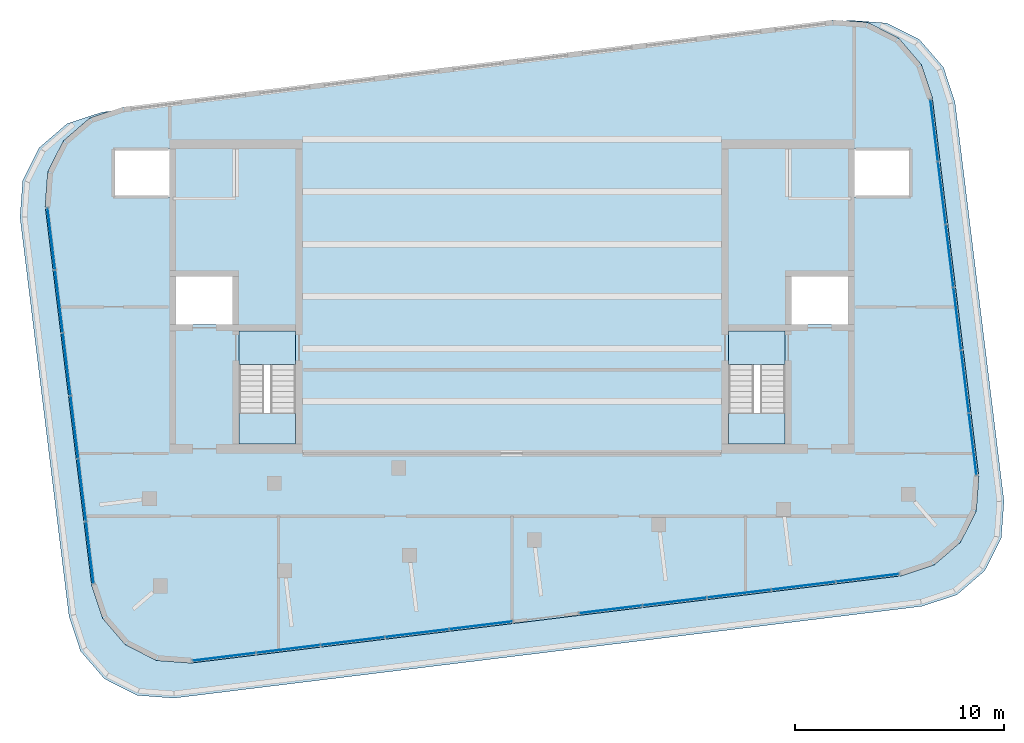
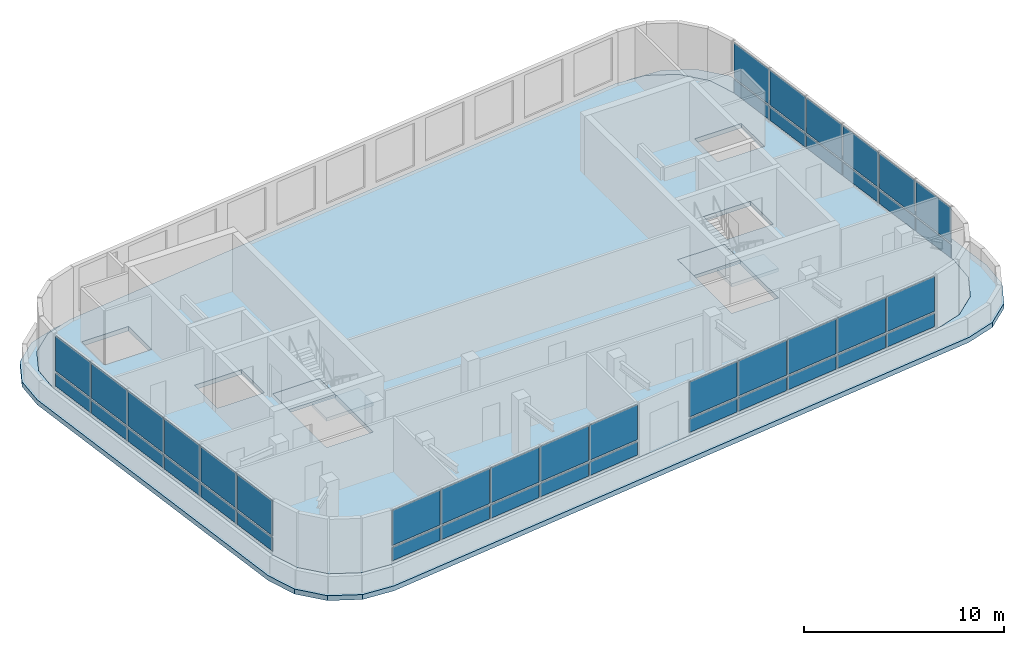
# One storey, part 4 of 8: 44 plates, 6 slabs, 6 elements without a shape of their own.
"""IFC4 building model written with IfcOpenShell, lengths in metres."""

from ifc_helpers import new_model, si_unit, direction, frame, origin, origin_2d, place, context, subcontext, project, spatial, polyline, rectangle, outline, extrude, material, layer, layer_set, type_object, element, aggregate, save


model = new_model("IFC4")

# Units and contexts
model_context = context("Model", 3, precision=1e-05, world=origin(), true_north=direction((0.0, 1.0)))
body_context = subcontext(model_context, "Body", "Model", "MODEL_VIEW")
ifc_project = project(units=[si_unit("LENGTHUNIT", "METRE"), si_unit("AREAUNIT", "SQUARE_METRE"), si_unit("VOLUMEUNIT", "CUBIC_METRE"), si_unit("PLANEANGLEUNIT", "RADIAN"), si_unit("MASSUNIT", "GRAM", prefix="KILO")], contexts=[model_context])

# Site, building, storey
site_placement = place(None, origin())
site = spatial("IfcSite", under=ifc_project, at=site_placement, CompositionType="ELEMENT")
building_placement = place(site_placement, origin())
building = spatial("IfcBuilding", under=site, at=building_placement, Name="Torana Hotel and Residences", CompositionType="ELEMENT")
storey_placement = place(building_placement, frame((0.0, 0.0, 346.60009765625)))
storey = spatial("IfcBuildingStorey", under=building, at=storey_placement, Name="C1", CompositionType="ELEMENT", Elevation=346.60009765625)

# Curtain wall, plates
ifc_material_1 = material(Name="Dark anodised aluminium", Category="aluminium")
ifc_layer_1 = layer(ifc_material_1, 0.199951171875)
ifc_layer_set_1 = layer_set([ifc_layer_1], Name="CW4 CROWN TERRACE GLAZING CURTAIN WALL")
curtain_wall_type = type_object("IfcCurtainWallType", Name="CW4 CROWN TERRACE GLAZING CURTAIN WALL", PredefinedType="NOTDEFINED", material=ifc_layer_set_1)
curtain_wall_1_placement = place(storey_placement, origin())
curtain_wall_1 = element("IfcCurtainWall", 1, at=curtain_wall_1_placement, inside=storey, type_object=curtain_wall_type, Name="Curtain wall CW4 C1 e0.9", PredefinedType="NOTDEFINED")
ifc_material_2 = material(Name="Glass dark tinted laminated glass", Category="glass")
ifc_layer_2 = layer(ifc_material_2, 0.02197265625)
ifc_layer_set_2 = layer_set([ifc_layer_2], Name="CW4 DARK GLASS PANEL 22")
plate_type = type_object("IfcPlateType", Name="CW4 DARK GLASS PANEL 22", PredefinedType="CURTAIN_PANEL", material=ifc_layer_set_2)
plate_1_placement = place(storey_placement, frame((-22.007080078125, -4.7470703125, 0.11962890625), z_axis=(0.0, 0.0, 1.0), x_axis=(0.121867706155, -0.992546352669, 0.0)))
plate_1 = element("IfcPlate", 2, at=plate_1_placement, type_object=plate_type, Name="CW4 panel 1.1", PredefinedType="CURTAIN_PANEL", context=body_context, shape_type="SweptSolid", body=[
    extrude(rectangle(XDim=2.922607421875, YDim=0.02197265625, at=origin_2d()), origin(), (0.0, 0.0, 1.0), 0.820068359375),
])
plate_2_placement = place(storey_placement, frame((-22.007080078125, -4.7470703125, 1.06005859375), z_axis=(0.0, 0.0, 1.0), x_axis=(0.121867706155, -0.992546352669, 0.0)))
plate_2 = element("IfcPlate", 3, at=plate_2_placement, type_object=plate_type, Name="CW4 panel 1.2", PredefinedType="CURTAIN_PANEL", context=body_context, shape_type="SweptSolid", body=[
    extrude(rectangle(XDim=2.922607421875, YDim=0.02197265625, at=origin_2d()), origin(), (0.0, 0.0, 1.0), 2.139892578125),
])
plate_3_placement = place(storey_placement, frame((-21.640380859375, -7.73486328125, 0.11962890625), z_axis=(0.0, 0.0, 1.0), x_axis=(0.121867706155, -0.992546352669, 0.0)))
plate_3 = element("IfcPlate", 4, at=plate_3_placement, type_object=plate_type, Name="CW4 panel 2.1", PredefinedType="CURTAIN_PANEL", context=body_context, shape_type="SweptSolid", body=[
    extrude(rectangle(XDim=2.95751953125, YDim=0.02197265625, at=origin_2d()), origin(), (0.0, 0.0, 1.0), 0.820068359375),
])
plate_4_placement = place(storey_placement, frame((-21.640380859375, -7.73486328125, 1.06005859375), z_axis=(0.0, 0.0, 1.0), x_axis=(0.121867706155, -0.992546352669, 0.0)))
plate_4 = element("IfcPlate", 5, at=plate_4_placement, type_object=plate_type, Name="CW4 panel 2.2", PredefinedType="CURTAIN_PANEL", context=body_context, shape_type="SweptSolid", body=[
    extrude(rectangle(XDim=2.95751953125, YDim=0.02197265625, at=origin_2d()), origin(), (0.0, 0.0, 1.0), 2.139892578125),
])
plate_5_placement = place(storey_placement, frame((-21.271484375, -10.739990234375, 0.11962890625), z_axis=(0.0, 0.0, 1.0), x_axis=(0.121867706155, -0.992546352669, 0.0)))
plate_5 = element("IfcPlate", 6, at=plate_5_placement, type_object=plate_type, Name="CW4 panel 3.1", PredefinedType="CURTAIN_PANEL", context=body_context, shape_type="SweptSolid", body=[
    extrude(rectangle(XDim=2.95751953125, YDim=0.02197265625, at=origin_2d()), origin(), (0.0, 0.0, 1.0), 0.820068359375),
])
plate_6_placement = place(storey_placement, frame((-21.271484375, -10.739990234375, 1.06005859375), z_axis=(0.0, 0.0, 1.0), x_axis=(0.121867706155, -0.992546352669, 0.0)))
plate_6 = element("IfcPlate", 7, at=plate_6_placement, type_object=plate_type, Name="CW4 panel 3.2", PredefinedType="CURTAIN_PANEL", context=body_context, shape_type="SweptSolid", body=[
    extrude(rectangle(XDim=2.95751953125, YDim=0.02197265625, at=origin_2d()), origin(), (0.0, 0.0, 1.0), 2.139892578125),
])
plate_7_placement = place(storey_placement, frame((-20.90234375, -13.744873046875, 0.11962890625), z_axis=(0.0, 0.0, 1.0), x_axis=(0.121867706155, -0.992546352669, 0.0)))
plate_7 = element("IfcPlate", 8, at=plate_7_placement, type_object=plate_type, Name="CW4 panel 4.1", PredefinedType="CURTAIN_PANEL", context=body_context, shape_type="SweptSolid", body=[
    extrude(rectangle(XDim=2.95751953125, YDim=0.02197265625, at=origin_2d()), origin(), (0.0, 0.0, 1.0), 0.820068359375),
])
plate_8_placement = place(storey_placement, frame((-20.90234375, -13.744873046875, 1.06005859375), z_axis=(0.0, 0.0, 1.0), x_axis=(0.121867706155, -0.992546352669, 0.0)))
plate_8 = element("IfcPlate", 9, at=plate_8_placement, type_object=plate_type, Name="CW4 panel 4.2", PredefinedType="CURTAIN_PANEL", context=body_context, shape_type="SweptSolid", body=[
    extrude(rectangle(XDim=2.95751953125, YDim=0.02197265625, at=origin_2d()), origin(), (0.0, 0.0, 1.0), 2.139892578125),
])
plate_9_placement = place(storey_placement, frame((-20.533447265625, -16.75, 0.11962890625), z_axis=(0.0, 0.0, 1.0), x_axis=(0.121867706155, -0.992546352669, 0.0)))
plate_9 = element("IfcPlate", 10, at=plate_9_placement, type_object=plate_type, Name="CW4 panel 5.1", PredefinedType="CURTAIN_PANEL", context=body_context, shape_type="SweptSolid", body=[
    extrude(rectangle(XDim=2.95751953125, YDim=0.02197265625, at=origin_2d()), origin(), (0.0, 0.0, 1.0), 0.820068359375),
])
plate_10_placement = place(storey_placement, frame((-20.533447265625, -16.75, 1.06005859375), z_axis=(0.0, 0.0, 1.0), x_axis=(0.121867706155, -0.992546352669, 0.0)))
plate_10 = element("IfcPlate", 11, at=plate_10_placement, type_object=plate_type, Name="CW4 panel 5.2", PredefinedType="CURTAIN_PANEL", context=body_context, shape_type="SweptSolid", body=[
    extrude(rectangle(XDim=2.95751953125, YDim=0.02197265625, at=origin_2d()), origin(), (0.0, 0.0, 1.0), 2.139892578125),
])
plate_11_placement = place(storey_placement, frame((-20.16650390625, -19.737548828125, 0.11962890625), z_axis=(0.0, 0.0, 1.0), x_axis=(0.121867706155, -0.992546352669, 0.0)))
plate_11 = element("IfcPlate", 12, at=plate_11_placement, type_object=plate_type, Name="CW4 panel 6.1", PredefinedType="CURTAIN_PANEL", context=body_context, shape_type="SweptSolid", body=[
    extrude(rectangle(XDim=2.922607421875, YDim=0.02197265625, at=origin_2d()), origin(), (0.0, 0.0, 1.0), 0.820068359375),
])
plate_12_placement = place(storey_placement, frame((-20.16650390625, -19.737548828125, 1.06005859375), z_axis=(0.0, 0.0, 1.0), x_axis=(0.121867706155, -0.992546352669, 0.0)))
plate_12 = element("IfcPlate", 13, at=plate_12_placement, type_object=plate_type, Name="CW4 panel 6.2", PredefinedType="CURTAIN_PANEL", context=body_context, shape_type="SweptSolid", body=[
    extrude(rectangle(XDim=2.922607421875, YDim=0.02197265625, at=origin_2d()), origin(), (0.0, 0.0, 1.0), 2.139892578125),
])
aggregate(curtain_wall_1, [plate_1, plate_2, plate_3, plate_4, plate_5, plate_6, plate_7, plate_8, plate_9, plate_10, plate_11, plate_12])

curtain_wall_2_placement = place(storey_placement, origin())
curtain_wall_2 = element("IfcCurtainWall", 14, at=curtain_wall_2_placement, inside=storey, type_object=curtain_wall_type, Name="Curtain wall CW4 C1 e0.14-1", PredefinedType="NOTDEFINED")
plate_13_placement = place(storey_placement, frame((-13.750732421875, -24.7177734375, 0.11962890625), z_axis=(0.0, 0.0, 1.0), x_axis=(0.992547521278, 0.121858188089, 0.0)))
plate_13 = element("IfcPlate", 15, at=plate_13_placement, type_object=plate_type, Name="CW4 panel 1.1", PredefinedType="CURTAIN_PANEL", context=body_context, shape_type="SweptSolid", body=[
    extrude(rectangle(XDim=2.995361328125, YDim=0.02197265625, at=origin_2d()), origin(), (0.0, 0.0, 1.0), 0.820068359375),
])
plate_14_placement = place(storey_placement, frame((-13.750732421875, -24.7177734375, 1.06005859375), z_axis=(0.0, 0.0, 1.0), x_axis=(0.992547521278, 0.121858188089, 0.0)))
plate_14 = element("IfcPlate", 16, at=plate_14_placement, type_object=plate_type, Name="CW4 panel 1.2", PredefinedType="CURTAIN_PANEL", context=body_context, shape_type="SweptSolid", body=[
    extrude(rectangle(XDim=2.995361328125, YDim=0.02197265625, at=origin_2d()), origin(), (0.0, 0.0, 1.0), 2.139892578125),
])
plate_15_placement = place(storey_placement, frame((-10.69091796875, -24.342041015625, 0.11962890625), z_axis=(0.0, 0.0, 1.0), x_axis=(0.992547521278, 0.121858188089, 0.0)))
plate_15 = element("IfcPlate", 17, at=plate_15_placement, type_object=plate_type, Name="CW4 panel 2.1", PredefinedType="CURTAIN_PANEL", context=body_context, shape_type="SweptSolid", body=[
    extrude(rectangle(XDim=3.0302734375, YDim=0.02197265625, at=origin_2d()), origin(), (0.0, 0.0, 1.0), 0.820068359375),
])
plate_16_placement = place(storey_placement, frame((-10.69091796875, -24.342041015625, 1.06005859375), z_axis=(0.0, 0.0, 1.0), x_axis=(0.992547521278, 0.121858188089, 0.0)))
plate_16 = element("IfcPlate", 18, at=plate_16_placement, type_object=plate_type, Name="CW4 panel 2.2", PredefinedType="CURTAIN_PANEL", context=body_context, shape_type="SweptSolid", body=[
    extrude(rectangle(XDim=3.0302734375, YDim=0.02197265625, at=origin_2d()), origin(), (0.0, 0.0, 1.0), 2.139892578125),
])
plate_17_placement = place(storey_placement, frame((-7.61376953125, -23.964111328125, 0.11962890625), z_axis=(0.0, 0.0, 1.0), x_axis=(0.992547521278, 0.121858188089, 0.0)))
plate_17 = element("IfcPlate", 19, at=plate_17_placement, type_object=plate_type, Name="CW4 panel 3.1", PredefinedType="CURTAIN_PANEL", context=body_context, shape_type="SweptSolid", body=[
    extrude(rectangle(XDim=3.0302734375, YDim=0.02197265625, at=origin_2d()), origin(), (0.0, 0.0, 1.0), 0.820068359375),
])
plate_18_placement = place(storey_placement, frame((-7.61376953125, -23.964111328125, 1.06005859375), z_axis=(0.0, 0.0, 1.0), x_axis=(0.992547521278, 0.121858188089, 0.0)))
plate_18 = element("IfcPlate", 20, at=plate_18_placement, type_object=plate_type, Name="CW4 panel 3.2", PredefinedType="CURTAIN_PANEL", context=body_context, shape_type="SweptSolid", body=[
    extrude(rectangle(XDim=3.0302734375, YDim=0.02197265625, at=origin_2d()), origin(), (0.0, 0.0, 1.0), 2.139892578125),
])
plate_19_placement = place(storey_placement, frame((-4.536376953125, -23.58642578125, 0.11962890625), z_axis=(0.0, 0.0, 1.0), x_axis=(0.992547521278, 0.121858188089, 0.0)))
plate_19 = element("IfcPlate", 21, at=plate_19_placement, type_object=plate_type, Name="CW4 panel 4.1", PredefinedType="CURTAIN_PANEL", context=body_context, shape_type="SweptSolid", body=[
    extrude(rectangle(XDim=3.0302734375, YDim=0.02197265625, at=origin_2d()), origin(), (0.0, 0.0, 1.0), 0.820068359375),
])
plate_20_placement = place(storey_placement, frame((-4.536376953125, -23.58642578125, 1.06005859375), z_axis=(0.0, 0.0, 1.0), x_axis=(0.992547521278, 0.121858188089, 0.0)))
plate_20 = element("IfcPlate", 22, at=plate_20_placement, type_object=plate_type, Name="CW4 panel 4.2", PredefinedType="CURTAIN_PANEL", context=body_context, shape_type="SweptSolid", body=[
    extrude(rectangle(XDim=3.0302734375, YDim=0.02197265625, at=origin_2d()), origin(), (0.0, 0.0, 1.0), 2.139892578125),
])
plate_21_placement = place(storey_placement, frame((-1.4765625, -23.210693359375, 0.11962890625), z_axis=(0.0, 0.0, 1.0), x_axis=(0.992547521278, 0.121858188089, 0.0)))
plate_21 = element("IfcPlate", 23, at=plate_21_placement, type_object=plate_type, Name="CW4 panel 5.1", PredefinedType="CURTAIN_PANEL", context=body_context, shape_type="SweptSolid", body=[
    extrude(rectangle(XDim=2.995361328125, YDim=0.02197265625, at=origin_2d()), origin(), (0.0, 0.0, 1.0), 0.820068359375),
])
plate_22_placement = place(storey_placement, frame((-1.4765625, -23.210693359375, 1.06005859375), z_axis=(0.0, 0.0, 1.0), x_axis=(0.992547521278, 0.121858188089, 0.0)))
plate_22 = element("IfcPlate", 24, at=plate_22_placement, type_object=plate_type, Name="CW4 panel 5.2", PredefinedType="CURTAIN_PANEL", context=body_context, shape_type="SweptSolid", body=[
    extrude(rectangle(XDim=2.995361328125, YDim=0.02197265625, at=origin_2d()), origin(), (0.0, 0.0, 1.0), 2.139892578125),
])
aggregate(curtain_wall_2, [plate_13, plate_14, plate_15, plate_16, plate_17, plate_18, plate_19, plate_20, plate_21, plate_22])

curtain_wall_3_placement = place(storey_placement, origin())
curtain_wall_3 = element("IfcCurtainWall", 25, at=curtain_wall_3_placement, inside=storey, type_object=curtain_wall_type, Name="Curtain wall CW4 C1 e0.14-2", PredefinedType="NOTDEFINED")
plate_23_placement = place(storey_placement, frame((4.712646484375, -22.45068359375, 0.11962890625), z_axis=(0.0, 0.0, 1.0), x_axis=(0.992546645215, 0.121865323504, 0.0)))
plate_23 = element("IfcPlate", 26, at=plate_23_placement, type_object=plate_type, Name="CW4 panel 1.1", PredefinedType="CURTAIN_PANEL", context=body_context, shape_type="SweptSolid", body=[
    extrude(rectangle(XDim=2.995361328125, YDim=0.02197265625, at=origin_2d()), origin(), (0.0, 0.0, 1.0), 0.820068359375),
])
plate_24_placement = place(storey_placement, frame((4.712646484375, -22.45068359375, 1.06005859375), z_axis=(0.0, 0.0, 1.0), x_axis=(0.992546645215, 0.121865323504, 0.0)))
plate_24 = element("IfcPlate", 27, at=plate_24_placement, type_object=plate_type, Name="CW4 panel 1.2", PredefinedType="CURTAIN_PANEL", context=body_context, shape_type="SweptSolid", body=[
    extrude(rectangle(XDim=2.995361328125, YDim=0.02197265625, at=origin_2d()), origin(), (0.0, 0.0, 1.0), 2.139892578125),
])
plate_25_placement = place(storey_placement, frame((7.7724609375, -22.074951171875, 0.11962890625), z_axis=(0.0, 0.0, 1.0), x_axis=(0.992546645215, 0.121865323504, 0.0)))
plate_25 = element("IfcPlate", 28, at=plate_25_placement, type_object=plate_type, Name="CW4 panel 2.1", PredefinedType="CURTAIN_PANEL", context=body_context, shape_type="SweptSolid", body=[
    extrude(rectangle(XDim=3.0302734375, YDim=0.02197265625, at=origin_2d()), origin(), (0.0, 0.0, 1.0), 0.820068359375),
])
plate_26_placement = place(storey_placement, frame((7.7724609375, -22.074951171875, 1.06005859375), z_axis=(0.0, 0.0, 1.0), x_axis=(0.992546645215, 0.121865323504, 0.0)))
plate_26 = element("IfcPlate", 29, at=plate_26_placement, type_object=plate_type, Name="CW4 panel 2.2", PredefinedType="CURTAIN_PANEL", context=body_context, shape_type="SweptSolid", body=[
    extrude(rectangle(XDim=3.0302734375, YDim=0.02197265625, at=origin_2d()), origin(), (0.0, 0.0, 1.0), 2.139892578125),
])
plate_27_placement = place(storey_placement, frame((10.849609375, -21.697265625, 0.11962890625), z_axis=(0.0, 0.0, 1.0), x_axis=(0.992546645215, 0.121865323504, 0.0)))
plate_27 = element("IfcPlate", 30, at=plate_27_placement, type_object=plate_type, Name="CW4 panel 3.1", PredefinedType="CURTAIN_PANEL", context=body_context, shape_type="SweptSolid", body=[
    extrude(rectangle(XDim=3.0302734375, YDim=0.02197265625, at=origin_2d()), origin(), (0.0, 0.0, 1.0), 0.820068359375),
])
plate_28_placement = place(storey_placement, frame((10.849609375, -21.697265625, 1.06005859375), z_axis=(0.0, 0.0, 1.0), x_axis=(0.992546645215, 0.121865323504, 0.0)))
plate_28 = element("IfcPlate", 31, at=plate_28_placement, type_object=plate_type, Name="CW4 panel 3.2", PredefinedType="CURTAIN_PANEL", context=body_context, shape_type="SweptSolid", body=[
    extrude(rectangle(XDim=3.0302734375, YDim=0.02197265625, at=origin_2d()), origin(), (0.0, 0.0, 1.0), 2.139892578125),
])
plate_29_placement = place(storey_placement, frame((13.9267578125, -21.3193359375, 0.11962890625), z_axis=(0.0, 0.0, 1.0), x_axis=(0.992546645215, 0.121865323504, 0.0)))
plate_29 = element("IfcPlate", 32, at=plate_29_placement, type_object=plate_type, Name="CW4 panel 4.1", PredefinedType="CURTAIN_PANEL", context=body_context, shape_type="SweptSolid", body=[
    extrude(rectangle(XDim=3.0302734375, YDim=0.02197265625, at=origin_2d()), origin(), (0.0, 0.0, 1.0), 0.820068359375),
])
plate_30_placement = place(storey_placement, frame((13.9267578125, -21.3193359375, 1.06005859375), z_axis=(0.0, 0.0, 1.0), x_axis=(0.992546645215, 0.121865323504, 0.0)))
plate_30 = element("IfcPlate", 33, at=plate_30_placement, type_object=plate_type, Name="CW4 panel 4.2", PredefinedType="CURTAIN_PANEL", context=body_context, shape_type="SweptSolid", body=[
    extrude(rectangle(XDim=3.0302734375, YDim=0.02197265625, at=origin_2d()), origin(), (0.0, 0.0, 1.0), 2.139892578125),
])
plate_31_placement = place(storey_placement, frame((16.986572265625, -20.94384765625, 0.11962890625), z_axis=(0.0, 0.0, 1.0), x_axis=(0.992546645215, 0.121865323504, 0.0)))
plate_31 = element("IfcPlate", 34, at=plate_31_placement, type_object=plate_type, Name="CW4 panel 5.1", PredefinedType="CURTAIN_PANEL", context=body_context, shape_type="SweptSolid", body=[
    extrude(rectangle(XDim=2.995361328125, YDim=0.02197265625, at=origin_2d()), origin(), (0.0, 0.0, 1.0), 0.820068359375),
])
plate_32_placement = place(storey_placement, frame((16.986572265625, -20.94384765625, 1.06005859375), z_axis=(0.0, 0.0, 1.0), x_axis=(0.992546645215, 0.121865323504, 0.0)))
plate_32 = element("IfcPlate", 35, at=plate_32_placement, type_object=plate_type, Name="CW4 panel 5.2", PredefinedType="CURTAIN_PANEL", context=body_context, shape_type="SweptSolid", body=[
    extrude(rectangle(XDim=2.995361328125, YDim=0.02197265625, at=origin_2d()), origin(), (0.0, 0.0, 1.0), 2.139892578125),
])
aggregate(curtain_wall_3, [plate_23, plate_24, plate_25, plate_26, plate_27, plate_28, plate_29, plate_30, plate_31, plate_32])

curtain_wall_4_placement = place(storey_placement, origin())
curtain_wall_4 = element("IfcCurtainWall", 36, at=curtain_wall_4_placement, inside=storey, type_object=curtain_wall_type, Name="Curtain wall CW4 C1 e0.19", PredefinedType="NOTDEFINED")
plate_33_placement = place(storey_placement, frame((22.007080078125, -14.559326171875, 0.11962890625), z_axis=(0.0, 0.0, 1.0), x_axis=(-0.121868372024, 0.992546270911, 0.0)))
plate_33 = element("IfcPlate", 37, at=plate_33_placement, type_object=plate_type, Name="CW4 panel 1.1", PredefinedType="CURTAIN_PANEL", context=body_context, shape_type="SweptSolid", body=[
    extrude(rectangle(XDim=2.922607421875, YDim=0.02197265625, at=origin_2d()), origin(), (0.0, 0.0, 1.0), 0.820068359375),
])
plate_34_placement = place(storey_placement, frame((22.007080078125, -14.559326171875, 1.06005859375), z_axis=(0.0, 0.0, 1.0), x_axis=(-0.121868372024, 0.992546270911, 0.0)))
plate_34 = element("IfcPlate", 38, at=plate_34_placement, type_object=plate_type, Name="CW4 panel 1.2", PredefinedType="CURTAIN_PANEL", context=body_context, shape_type="SweptSolid", body=[
    extrude(rectangle(XDim=2.922607421875, YDim=0.02197265625, at=origin_2d()), origin(), (0.0, 0.0, 1.0), 2.139892578125),
])
plate_35_placement = place(storey_placement, frame((21.640380859375, -11.57177734375, 0.11962890625), z_axis=(0.0, 0.0, 1.0), x_axis=(-0.121868372024, 0.992546270911, 0.0)))
plate_35 = element("IfcPlate", 39, at=plate_35_placement, type_object=plate_type, Name="CW4 panel 2.1", PredefinedType="CURTAIN_PANEL", context=body_context, shape_type="SweptSolid", body=[
    extrude(rectangle(XDim=2.95751953125, YDim=0.02197265625, at=origin_2d()), origin(), (0.0, 0.0, 1.0), 0.820068359375),
])
plate_36_placement = place(storey_placement, frame((21.640380859375, -11.57177734375, 1.06005859375), z_axis=(0.0, 0.0, 1.0), x_axis=(-0.121868372024, 0.992546270911, 0.0)))
plate_36 = element("IfcPlate", 40, at=plate_36_placement, type_object=plate_type, Name="CW4 panel 2.2", PredefinedType="CURTAIN_PANEL", context=body_context, shape_type="SweptSolid", body=[
    extrude(rectangle(XDim=2.95751953125, YDim=0.02197265625, at=origin_2d()), origin(), (0.0, 0.0, 1.0), 2.139892578125),
])
plate_37_placement = place(storey_placement, frame((21.271484375, -8.566650390625, 0.11962890625), z_axis=(0.0, 0.0, 1.0), x_axis=(-0.121868372024, 0.992546270911, 0.0)))
plate_37 = element("IfcPlate", 41, at=plate_37_placement, type_object=plate_type, Name="CW4 panel 3.1", PredefinedType="CURTAIN_PANEL", context=body_context, shape_type="SweptSolid", body=[
    extrude(rectangle(XDim=2.95751953125, YDim=0.02197265625, at=origin_2d()), origin(), (0.0, 0.0, 1.0), 0.820068359375),
])
plate_38_placement = place(storey_placement, frame((21.271484375, -8.566650390625, 1.06005859375), z_axis=(0.0, 0.0, 1.0), x_axis=(-0.121868372024, 0.992546270911, 0.0)))
plate_38 = element("IfcPlate", 42, at=plate_38_placement, type_object=plate_type, Name="CW4 panel 3.2", PredefinedType="CURTAIN_PANEL", context=body_context, shape_type="SweptSolid", body=[
    extrude(rectangle(XDim=2.95751953125, YDim=0.02197265625, at=origin_2d()), origin(), (0.0, 0.0, 1.0), 2.139892578125),
])
plate_39_placement = place(storey_placement, frame((20.90234375, -5.5615234375, 0.11962890625), z_axis=(0.0, 0.0, 1.0), x_axis=(-0.121868372024, 0.992546270911, 0.0)))
plate_39 = element("IfcPlate", 43, at=plate_39_placement, type_object=plate_type, Name="CW4 panel 4.1", PredefinedType="CURTAIN_PANEL", context=body_context, shape_type="SweptSolid", body=[
    extrude(rectangle(XDim=2.95751953125, YDim=0.02197265625, at=origin_2d()), origin(), (0.0, 0.0, 1.0), 0.820068359375),
])
plate_40_placement = place(storey_placement, frame((20.90234375, -5.5615234375, 1.06005859375), z_axis=(0.0, 0.0, 1.0), x_axis=(-0.121868372024, 0.992546270911, 0.0)))
plate_40 = element("IfcPlate", 44, at=plate_40_placement, type_object=plate_type, Name="CW4 panel 4.2", PredefinedType="CURTAIN_PANEL", context=body_context, shape_type="SweptSolid", body=[
    extrude(rectangle(XDim=2.95751953125, YDim=0.02197265625, at=origin_2d()), origin(), (0.0, 0.0, 1.0), 2.139892578125),
])
plate_41_placement = place(storey_placement, frame((20.533447265625, -2.556640625, 0.11962890625), z_axis=(0.0, 0.0, 1.0), x_axis=(-0.121868372024, 0.992546270911, 0.0)))
plate_41 = element("IfcPlate", 45, at=plate_41_placement, type_object=plate_type, Name="CW4 panel 5.1", PredefinedType="CURTAIN_PANEL", context=body_context, shape_type="SweptSolid", body=[
    extrude(rectangle(XDim=2.95751953125, YDim=0.02197265625, at=origin_2d()), origin(), (0.0, 0.0, 1.0), 0.820068359375),
])
plate_42_placement = place(storey_placement, frame((20.533447265625, -2.556640625, 1.06005859375), z_axis=(0.0, 0.0, 1.0), x_axis=(-0.121868372024, 0.992546270911, 0.0)))
plate_42 = element("IfcPlate", 46, at=plate_42_placement, type_object=plate_type, Name="CW4 panel 5.2", PredefinedType="CURTAIN_PANEL", context=body_context, shape_type="SweptSolid", body=[
    extrude(rectangle(XDim=2.95751953125, YDim=0.02197265625, at=origin_2d()), origin(), (0.0, 0.0, 1.0), 2.139892578125),
])
plate_43_placement = place(storey_placement, frame((20.16650390625, 0.430908203125, 0.11962890625), z_axis=(0.0, 0.0, 1.0), x_axis=(-0.121868372024, 0.992546270911, 0.0)))
plate_43 = element("IfcPlate", 47, at=plate_43_placement, type_object=plate_type, Name="CW4 panel 6.1", PredefinedType="CURTAIN_PANEL", context=body_context, shape_type="SweptSolid", body=[
    extrude(rectangle(XDim=2.922607421875, YDim=0.02197265625, at=origin_2d()), origin(), (0.0, 0.0, 1.0), 0.820068359375),
])
plate_44_placement = place(storey_placement, frame((20.16650390625, 0.430908203125, 1.06005859375), z_axis=(0.0, 0.0, 1.0), x_axis=(-0.121868372024, 0.992546270911, 0.0)))
plate_44 = element("IfcPlate", 48, at=plate_44_placement, type_object=plate_type, Name="CW4 panel 6.2", PredefinedType="CURTAIN_PANEL", context=body_context, shape_type="SweptSolid", body=[
    extrude(rectangle(XDim=2.922607421875, YDim=0.02197265625, at=origin_2d()), origin(), (0.0, 0.0, 1.0), 2.139892578125),
])
aggregate(curtain_wall_4, [plate_33, plate_34, plate_35, plate_36, plate_37, plate_38, plate_39, plate_40, plate_41, plate_42, plate_43, plate_44])

# Slab
ifc_material_3 = material(Name="Concrete C40/50", Category="concrete")
ifc_layer_3 = layer(ifc_material_3, 0.280029296875)
ifc_layer_set_3 = layer_set([ifc_layer_3], Name="FLOOR SLAB PT 280")
slab_type_1 = type_object("IfcSlabType", Name="FLOOR SLAB PT 280", PredefinedType="FLOOR", material=ifc_layer_set_3)
slab_1_placement = place(storey_placement, frame((0.0, 0.0, -0.280029296875)))
element("IfcSlab", 49, at=slab_1_placement, inside=storey, type_object=slab_type_1, Name="Floor slab", PredefinedType="FLOOR", context=body_context, shape_type="SweptSolid", body=[
    extrude(outline(polyline([(20.076416015625, 1.987548828125), (19.5546875, 3.569580078125), (18.46728515625, 4.831298828125), (16.97998046875, 5.5810546875), (15.31884765625, 5.70458984375), (-18.5791015625, 1.54248046875), (-20.1611328125, 1.020751953125), (-21.423095703125, -0.06640625), (-22.172607421875, -1.553955078125), (-22.296142578125, -3.215087890625), (-20.076416015625, -21.294189453125), (-19.5546875, -22.8759765625), (-18.46728515625, -24.137939453125), (-16.97998046875, -24.8876953125), (-15.31884765625, -25.010986328125), (18.5791015625, -20.84912109375), (20.1611328125, -20.327392578125), (21.423095703125, -19.239990234375), (22.172607421875, -17.752685546875), (22.296142578125, -16.09130859375), (20.076416015625, 1.987548828125)]), holes=[polyline([(-13.050048828125, -14.550048828125), (-10.35009765625, -14.550048828125), (-10.35009765625, -9.14990234375), (-13.050048828125, -9.14990234375), (-13.050048828125, -14.550048828125)]), polyline([(-16.050048828125, -8.85009765625), (-13.35009765625, -8.85009765625), (-13.35009765625, -6.550048828125), (-16.050048828125, -6.550048828125), (-16.050048828125, -8.85009765625)]), polyline([(-19.050048828125, -2.75), (-16.35009765625, -2.75), (-16.35009765625, -0.449951171875), (-19.050048828125, -0.449951171875), (-19.050048828125, -2.75)]), polyline([(10.35009765625, -14.550048828125), (13.050048828125, -14.550048828125), (13.050048828125, -9.14990234375), (10.35009765625, -9.14990234375), (10.35009765625, -14.550048828125)]), polyline([(13.35009765625, -8.85009765625), (16.050048828125, -8.85009765625), (16.050048828125, -6.550048828125), (13.35009765625, -6.550048828125), (13.35009765625, -8.85009765625)]), polyline([(16.35009765625, -2.75), (19.050048828125, -2.75), (19.050048828125, -0.449951171875), (16.35009765625, -0.449951171875), (16.35009765625, -2.75)])]), origin(), (0.0, 0.0, 1.0), 0.280029296875),
])

# Stair, slabs
ifc_material_4 = material(Name="Concrete C40/50 precast", Category="concrete")
stair_type_1 = type_object("IfcStairType", Name="STAIR ST1 HALF TURN 1200", PredefinedType="HALF_TURN_STAIR", material=ifc_material_4)
stair_1_placement = place(storey_placement, origin())
stair_1 = element("IfcStair", 50, at=stair_1_placement, inside=storey, type_object=stair_type_1, Name="Stair ST1 C1", PredefinedType="HALF_TURN_STAIR")
ifc_material_5 = material(Name="Concrete C40/50 precast", Category="concrete")
ifc_layer_4 = layer(ifc_material_5, 0.199951171875)
ifc_layer_set_4 = layer_set([ifc_layer_4], Name="STAIR LANDING 200")
slab_type_2 = type_object("IfcSlabType", Name="STAIR LANDING 200", PredefinedType="LANDING", material=ifc_layer_set_4)
slab_2_placement = place(storey_placement, frame((0.0, 0.0, 1.599853515625)))
slab_2 = element("IfcSlab", 51, at=slab_2_placement, type_object=slab_type_2, Name="ST1 landing 1", PredefinedType="LANDING", context=body_context, shape_type="SweptSolid", body=[
    extrude(outline(polyline([(-13.050048828125, -14.550048828125), (-10.35009765625, -14.550048828125), (-10.35009765625, -13.090087890625), (-13.050048828125, -13.090087890625), (-13.050048828125, -14.550048828125)])), origin(), (0.0, 0.0, 1.0), 0.199951171875),
])
slab_3_placement = place(storey_placement, frame((0.0, 0.0, -0.2001953125)))
slab_3 = element("IfcSlab", 52, at=slab_3_placement, type_object=slab_type_2, Name="ST1 landing 2", PredefinedType="LANDING", context=body_context, shape_type="SweptSolid", body=[
    extrude(outline(polyline([(-13.050048828125, -10.75), (-10.35009765625, -10.75), (-10.35009765625, -9.14990234375), (-13.050048828125, -9.14990234375), (-13.050048828125, -10.75)])), origin(), (0.0, 0.0, 1.0), 0.2001953125),
])
aggregate(stair_1, [slab_2, slab_3])

ifc_material_6 = material(Name="Concrete C40/50 precast", Category="concrete")
stair_type_2 = type_object("IfcStairType", Name="STAIR ST3 HALF TURN 1200", PredefinedType="HALF_TURN_STAIR", material=ifc_material_6)
stair_2_placement = place(storey_placement, origin())
stair_2 = element("IfcStair", 53, at=stair_2_placement, inside=storey, type_object=stair_type_2, Name="Stair ST3 C1", PredefinedType="HALF_TURN_STAIR")
slab_4_placement = place(storey_placement, frame((0.0, 0.0, 1.599853515625)))
slab_4 = element("IfcSlab", 54, at=slab_4_placement, type_object=slab_type_2, Name="ST3 landing 1", PredefinedType="LANDING", context=body_context, shape_type="SweptSolid", body=[
    extrude(outline(polyline([(10.35009765625, -14.550048828125), (13.050048828125, -14.550048828125), (13.050048828125, -13.090087890625), (10.35009765625, -13.090087890625), (10.35009765625, -14.550048828125)])), origin(), (0.0, 0.0, 1.0), 0.199951171875),
])
slab_5_placement = place(storey_placement, frame((0.0, 0.0, -0.2001953125)))
slab_5 = element("IfcSlab", 55, at=slab_5_placement, type_object=slab_type_2, Name="ST3 landing 2", PredefinedType="LANDING", context=body_context, shape_type="SweptSolid", body=[
    extrude(outline(polyline([(10.35009765625, -10.75), (13.050048828125, -10.75), (13.050048828125, -9.14990234375), (10.35009765625, -9.14990234375), (10.35009765625, -10.75)])), origin(), (0.0, 0.0, 1.0), 0.2001953125),
])
aggregate(stair_2, [slab_4, slab_5])

# Slab
ifc_material_7 = material(Name="Concrete C40/50", Category="concrete")
ifc_layer_5 = layer(ifc_material_7, 0.300048828125)
ifc_layer_set_5 = layer_set([ifc_layer_5], Name="TR1 TERRACE SLAB 300")
slab_type_3 = type_object("IfcSlabType", Name="TR1 TERRACE SLAB 300", PredefinedType="USERDEFINED", material=ifc_layer_set_5)
slab_6_placement = place(storey_placement, frame((0.0, 0.0, -0.300048828125)))
element("IfcSlab", 56, at=slab_6_placement, inside=storey, type_object=slab_type_3, Name="Terrace C1 1", ObjectType="TERRACE", PredefinedType="USERDEFINED", context=body_context, shape_type="SweptSolid", body=[
    extrude(outline(polyline([(16.1474609375, 5.6884765625), (17.8984375, 5.558349609375), (19.46630859375, 4.76806640625), (20.612548828125, 3.43798828125), (21.162353515625, 1.7705078125), (23.502197265625, -17.286376953125), (23.3720703125, -19.037353515625), (22.581787109375, -20.605224609375), (21.251708984375, -21.75146484375), (19.584228515625, -22.30126953125), (-16.1474609375, -26.6884765625), (-17.8984375, -26.558349609375), (-19.46630859375, -25.76806640625), (-20.612548828125, -24.43798828125), (-21.162353515625, -22.7705078125), (-23.502197265625, -3.713623046875), (-23.3720703125, -1.962646484375), (-22.581787109375, -0.394775390625), (-21.251708984375, 0.75146484375), (-19.584228515625, 1.30126953125), (-19.15283203125, 1.354248046875), (-20.161376953125, 1.021484375), (-20.16162109375, 1.021484375), (-20.16162109375, 1.021484375), (-20.16162109375, 1.021484375), (-20.161865234375, 1.021484375), (-21.423583984375, -0.065673828125), (-21.423583984375, -0.06591796875), (-21.423828125, -0.06591796875), (-21.423828125, -0.06591796875), (-21.423828125, -0.06591796875), (-22.173583984375, -1.553466796875), (-22.173583984375, -1.5537109375), (-22.173583984375, -1.5537109375), (-22.173583984375, -1.5537109375), (-22.173583984375, -1.553955078125), (-22.297119140625, -3.215087890625), (-22.297119140625, -3.215087890625), (-22.297119140625, -3.215087890625), (-20.077392578125, -21.294189453125), (-20.077392578125, -21.294189453125), (-20.0771484375, -21.29443359375), (-19.5556640625, -22.876220703125), (-19.5556640625, -22.87646484375), (-19.5556640625, -22.87646484375), (-19.555419921875, -22.876708984375), (-19.555419921875, -22.876708984375), (-18.46826171875, -24.138671875), (-18.468017578125, -24.138671875), (-18.468017578125, -24.138671875), (-18.468017578125, -24.138671875), (-18.468017578125, -24.138916015625), (-16.98046875, -24.888427734375), (-16.98046875, -24.888427734375), (-16.980224609375, -24.888671875), (-16.980224609375, -24.888671875), (-16.97998046875, -24.888671875), (-15.319091796875, -25.011962890625), (-15.31884765625, -25.011962890625), (-15.31884765625, -25.011962890625), (18.579345703125, -20.85009765625), (18.579345703125, -20.85009765625), (18.57958984375, -20.849853515625), (20.161376953125, -20.328125), (20.16162109375, -20.328125), (20.16162109375, -20.328125), (20.16162109375, -20.328125), (20.161865234375, -20.328125), (21.423583984375, -19.24072265625), (21.423583984375, -19.24072265625), (21.423828125, -19.240478515625), (21.423828125, -19.240478515625), (21.423828125, -19.240478515625), (22.173583984375, -17.753173828125), (22.173583984375, -17.7529296875), (22.173583984375, -17.7529296875), (22.173583984375, -17.752685546875), (22.173583984375, -17.752685546875), (22.297119140625, -16.091552734375), (22.297119140625, -16.09130859375), (22.297119140625, -16.09130859375), (20.077392578125, 1.987548828125), (20.077392578125, 1.98779296875), (20.0771484375, 1.98779296875), (19.5556640625, 3.56982421875), (19.5556640625, 3.56982421875), (19.5556640625, 3.570068359375), (19.555419921875, 3.570068359375), (19.555419921875, 3.5703125), (18.46826171875, 4.83203125), (18.468017578125, 4.83203125), (18.468017578125, 4.83203125), (18.468017578125, 4.83203125), (18.468017578125, 4.832275390625), (16.98046875, 5.58203125), (16.98046875, 5.58203125), (16.980224609375, 5.58203125), (16.980224609375, 5.58203125), (16.97998046875, 5.58203125), (15.92138671875, 5.66064453125), (16.1474609375, 5.6884765625)])), origin(), (0.0, 0.0, 1.0), 0.300048828125),
])

save(model, "model.ifc")
